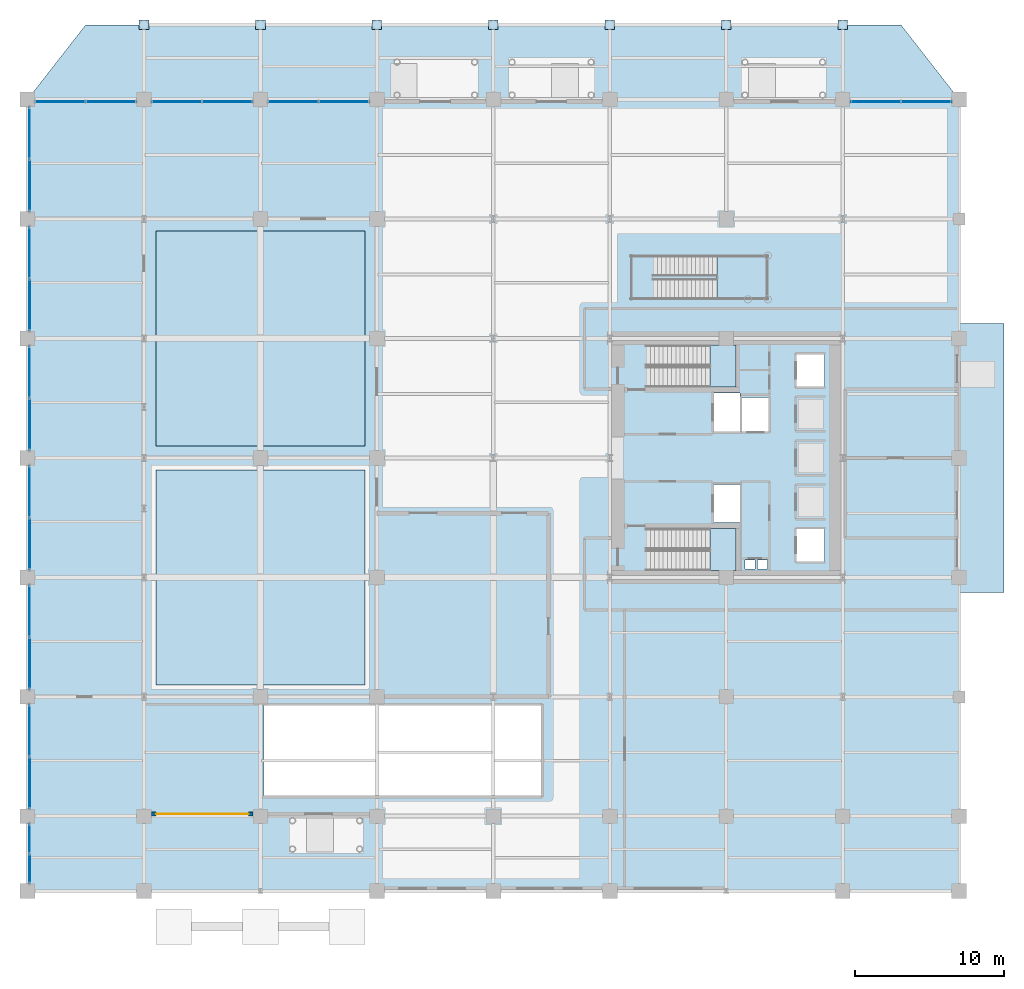
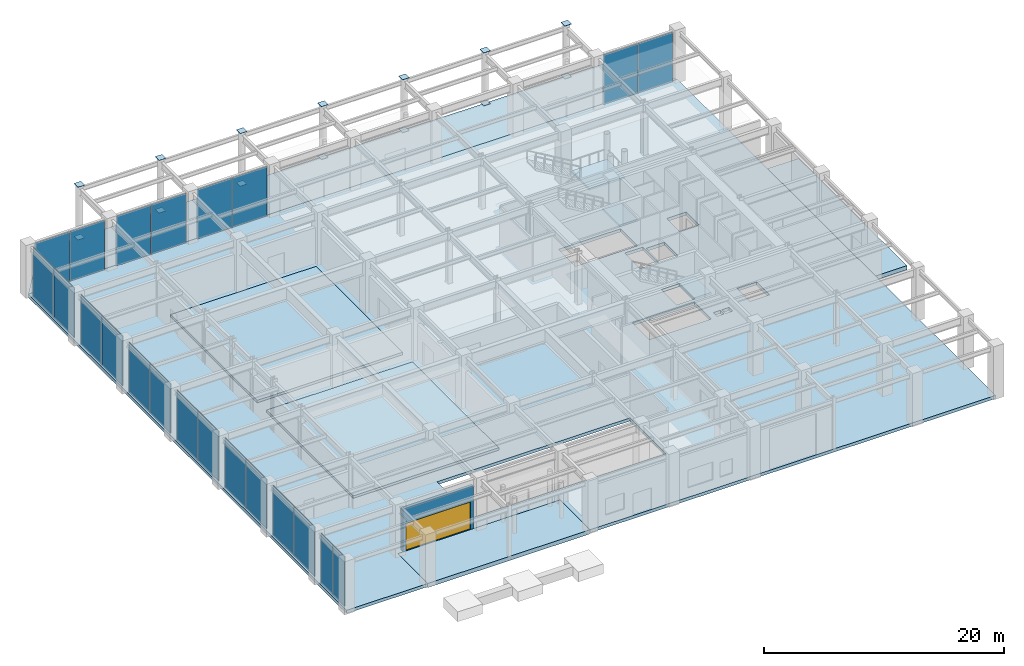
# One storey, part 18 of 27: 36 plates, 9 slabs, 1 door, 1 wall, 1 opening, 14 elements without a shape of their own.
"""IFC4 building model written with IfcOpenShell, lengths in metres."""

from ifc_helpers import new_model, si_unit, direction, frame, frame_2d, origin, origin_2d, place, context, subcontext, project, spatial, polyline, rectangle, outline, extrude, material, layer, layer_set, type_object, element, fill, aggregate, save


model = new_model("IFC4")

# Units and contexts
model_context = context("Model", 3, precision=1e-05, world=origin(), true_north=direction((0.0, 1.0)))
body_context = subcontext(model_context, "Body", "Model", "MODEL_VIEW")
ifc_project = project(units=[si_unit("LENGTHUNIT", "METRE"), si_unit("AREAUNIT", "SQUARE_METRE"), si_unit("VOLUMEUNIT", "CUBIC_METRE"), si_unit("PLANEANGLEUNIT", "RADIAN"), si_unit("MASSUNIT", "GRAM", prefix="KILO")], contexts=[model_context])

# Site, building, storey
site_placement = place(None, origin())
site = spatial("IfcSite", under=ifc_project, at=site_placement, CompositionType="ELEMENT")
building_placement = place(site_placement, origin())
building = spatial("IfcBuilding", under=site, at=building_placement, Name="Veymaron Broadcast Tower", CompositionType="ELEMENT")
storey_placement = place(building_placement, origin())
storey = spatial("IfcBuildingStorey", under=building, at=storey_placement, Name="L00", CompositionType="ELEMENT", Elevation=0.0)

# Curtain wall, plate
ifc_material_1 = material(Name="Anodised aluminium AA 6063-T6 and laminated low-E dark glass", Category="aluminium")
ifc_layer_1 = layer(ifc_material_1, 0.179931640625)
ifc_layer_set_1 = layer_set([ifc_layer_1], Name="Anodised aluminium AA 6063-T6 and laminated low-E dark glass")
curtain_wall_type = type_object("IfcCurtainWallType", Name="CW-SYS-01", PredefinedType="NOTDEFINED", material=ifc_layer_set_1)
curtain_wall_1_placement = place(storey_placement, origin())
curtain_wall_1 = element("IfcCurtainWall", 1, at=curtain_wall_1_placement, inside=storey, type_object=curtain_wall_type, Name="L00 dark-glass curtain wall CW-L00-01", PredefinedType="NOTDEFINED")
ifc_material_2 = material(Name="Triple-laminated solar-control dark glass IGU 36 mm", Category="glass")
ifc_layer_2 = layer(ifc_material_2, 0.035888671875)
ifc_layer_set_2 = layer_set([ifc_layer_2], Name="Triple-laminated solar-control dark glass IGU 36 mm")
plate_type_1 = type_object("IfcPlateType", Name="CW-PNL-01", PredefinedType="CURTAIN_PANEL", material=ifc_layer_set_2)
plate_1_placement = place(storey_placement, frame((5.591064453125, 47.85009765625, 0.0400390625), z_axis=(0.0, 0.0, 1.0), x_axis=(1.0, 0.0, 0.0)))
plate_1 = element("IfcPlate", 2, at=plate_1_placement, type_object=plate_type_1, Name="CW-L00-01 unitised curtain panel 1", PredefinedType="CURTAIN_PANEL", context=body_context, shape_type="SweptSolid", body=[
    extrude(rectangle(XDim=3.322021484375, YDim=0.035888671875, at=origin_2d()), origin(), (0.0, 0.0, 1.0), 5.0400390625),
])

curtain_wall_2_placement = place(storey_placement, origin())
curtain_wall_2 = element("IfcCurtainWall", 3, at=curtain_wall_2_placement, inside=storey, type_object=curtain_wall_type, Name="L00 dark-glass curtain wall CW-L00-02", PredefinedType="NOTDEFINED")
plate_2_placement = place(storey_placement, frame((13.39111328125, 47.85009765625, 0.0400390625), z_axis=(0.0, 0.0, 1.0), x_axis=(1.0, 0.0, 0.0)))
plate_2 = element("IfcPlate", 4, at=plate_2_placement, type_object=plate_type_1, Name="CW-L00-02 unitised curtain panel 1", PredefinedType="CURTAIN_PANEL", context=body_context, shape_type="SweptSolid", body=[
    extrude(rectangle(XDim=3.322021484375, YDim=0.035888671875, at=origin_2d()), origin(), (0.0, 0.0, 1.0), 5.0400390625),
])

curtain_wall_3_placement = place(storey_placement, origin())
curtain_wall_3 = element("IfcCurtainWall", 5, at=curtain_wall_3_placement, inside=storey, type_object=curtain_wall_type, Name="L00 dark-glass curtain wall CW-L00-03", PredefinedType="NOTDEFINED")
plate_3_placement = place(storey_placement, frame((21.19091796875, 47.85009765625, 0.0400390625), z_axis=(0.0, 0.0, 1.0), x_axis=(1.0, 0.0, 0.0)))
plate_3 = element("IfcPlate", 6, at=plate_3_placement, type_object=plate_type_1, Name="CW-L00-03 unitised curtain panel 1", PredefinedType="CURTAIN_PANEL", context=body_context, shape_type="SweptSolid", body=[
    extrude(rectangle(XDim=3.322021484375, YDim=0.035888671875, at=origin_2d()), origin(), (0.0, 0.0, 1.0), 5.0400390625),
])

curtain_wall_4_placement = place(storey_placement, origin())
curtain_wall_4 = element("IfcCurtainWall", 7, at=curtain_wall_4_placement, inside=storey, type_object=curtain_wall_type, Name="L00 dark-glass curtain wall CW-L00-04", PredefinedType="NOTDEFINED")
plate_4_placement = place(storey_placement, frame((0.14990234375, -1.509033203125, 0.0400390625), z_axis=(0.0, 0.0, 1.0), x_axis=(0.0, 1.0, 0.0)))
plate_4 = element("IfcPlate", 8, at=plate_4_placement, type_object=plate_type_1, Name="CW-L00-04 unitised curtain panel 1", PredefinedType="CURTAIN_PANEL", context=body_context, shape_type="SweptSolid", body=[
    extrude(rectangle(XDim=1.922119140625, YDim=0.035888671875, at=origin_2d()), origin(), (0.0, 0.0, 1.0), 5.0400390625),
])

curtain_wall_5_placement = place(storey_placement, origin())
curtain_wall_5 = element("IfcCurtainWall", 9, at=curtain_wall_5_placement, inside=storey, type_object=curtain_wall_type, Name="L00 dark-glass curtain wall CW-L00-05", PredefinedType="NOTDEFINED")
plate_5_placement = place(storey_placement, frame((0.14990234375, 5.740966796875, 0.0400390625), z_axis=(0.0, 0.0, 1.0), x_axis=(0.0, 1.0, 0.0)))
plate_5 = element("IfcPlate", 10, at=plate_5_placement, type_object=plate_type_1, Name="CW-L00-05 unitised curtain panel 1", PredefinedType="CURTAIN_PANEL", context=body_context, shape_type="SweptSolid", body=[
    extrude(rectangle(XDim=3.422119140625, YDim=0.035888671875, at=origin_2d()), origin(), (0.0, 0.0, 1.0), 5.0400390625),
])

curtain_wall_6_placement = place(storey_placement, origin())
curtain_wall_6 = element("IfcCurtainWall", 11, at=curtain_wall_6_placement, inside=storey, type_object=curtain_wall_type, Name="L00 dark-glass curtain wall CW-L00-06", PredefinedType="NOTDEFINED")
plate_6_placement = place(storey_placement, frame((0.14990234375, 13.740966796875, 0.0400390625), z_axis=(0.0, 0.0, 1.0), x_axis=(0.0, 1.0, 0.0)))
plate_6 = element("IfcPlate", 12, at=plate_6_placement, type_object=plate_type_1, Name="CW-L00-06 unitised curtain panel 1", PredefinedType="CURTAIN_PANEL", context=body_context, shape_type="SweptSolid", body=[
    extrude(rectangle(XDim=3.422119140625, YDim=0.035888671875, at=origin_2d()), origin(), (0.0, 0.0, 1.0), 5.0400390625),
])

curtain_wall_7_placement = place(storey_placement, origin())
curtain_wall_7 = element("IfcCurtainWall", 13, at=curtain_wall_7_placement, inside=storey, type_object=curtain_wall_type, Name="L00 dark-glass curtain wall CW-L00-07", PredefinedType="NOTDEFINED")
plate_7_placement = place(storey_placement, frame((0.14990234375, 21.740966796875, 0.0400390625), z_axis=(0.0, 0.0, 1.0), x_axis=(0.0, 1.0, 0.0)))
plate_7 = element("IfcPlate", 14, at=plate_7_placement, type_object=plate_type_1, Name="CW-L00-07 unitised curtain panel 1", PredefinedType="CURTAIN_PANEL", context=body_context, shape_type="SweptSolid", body=[
    extrude(rectangle(XDim=3.422119140625, YDim=0.035888671875, at=origin_2d()), origin(), (0.0, 0.0, 1.0), 5.0400390625),
])

curtain_wall_8_placement = place(storey_placement, origin())
curtain_wall_8 = element("IfcCurtainWall", 15, at=curtain_wall_8_placement, inside=storey, type_object=curtain_wall_type, Name="L00 dark-glass curtain wall CW-L00-08", PredefinedType="NOTDEFINED")
plate_8_placement = place(storey_placement, frame((0.14990234375, 29.740966796875, 0.0400390625), z_axis=(0.0, 0.0, 1.0), x_axis=(0.0, 1.0, 0.0)))
plate_8 = element("IfcPlate", 16, at=plate_8_placement, type_object=plate_type_1, Name="CW-L00-08 unitised curtain panel 1", PredefinedType="CURTAIN_PANEL", context=body_context, shape_type="SweptSolid", body=[
    extrude(rectangle(XDim=3.422119140625, YDim=0.035888671875, at=origin_2d()), origin(), (0.0, 0.0, 1.0), 5.0400390625),
])

curtain_wall_9_placement = place(storey_placement, origin())
curtain_wall_9 = element("IfcCurtainWall", 17, at=curtain_wall_9_placement, inside=storey, type_object=curtain_wall_type, Name="L00 dark-glass curtain wall CW-L00-09", PredefinedType="NOTDEFINED")
plate_9_placement = place(storey_placement, frame((0.14990234375, 37.740966796875, 0.0400390625), z_axis=(0.0, 0.0, 1.0), x_axis=(0.0, 1.0, 0.0)))
plate_9 = element("IfcPlate", 18, at=plate_9_placement, type_object=plate_type_1, Name="CW-L00-09 unitised curtain panel 1", PredefinedType="CURTAIN_PANEL", context=body_context, shape_type="SweptSolid", body=[
    extrude(rectangle(XDim=3.422119140625, YDim=0.035888671875, at=origin_2d()), origin(), (0.0, 0.0, 1.0), 5.0400390625),
])

curtain_wall_10_placement = place(storey_placement, origin())
curtain_wall_10 = element("IfcCurtainWall", 19, at=curtain_wall_10_placement, inside=storey, type_object=curtain_wall_type, Name="L00 dark-glass curtain wall CW-L00-10", PredefinedType="NOTDEFINED")
plate_10_placement = place(storey_placement, frame((0.14990234375, 45.740966796875, 0.0400390625), z_axis=(0.0, 0.0, 1.0), x_axis=(0.0, 1.0, 0.0)))
plate_10 = element("IfcPlate", 20, at=plate_10_placement, type_object=plate_type_1, Name="CW-L00-10 unitised curtain panel 1", PredefinedType="CURTAIN_PANEL", context=body_context, shape_type="SweptSolid", body=[
    extrude(rectangle(XDim=3.422119140625, YDim=0.035888671875, at=origin_2d()), origin(), (0.0, 0.0, 1.0), 5.0400390625),
])

curtain_wall_11_placement = place(storey_placement, origin())
curtain_wall_11 = element("IfcCurtainWall", 21, at=curtain_wall_11_placement, inside=storey, type_object=curtain_wall_type, Name="L00 dark-glass curtain wall CW-L00-11", PredefinedType="NOTDEFINED")
plate_11_placement = place(storey_placement, frame((60.19091796875, 47.85009765625, 0.0400390625), z_axis=(0.0, 0.0, 1.0), x_axis=(1.0, 0.0, 0.0)))
plate_11 = element("IfcPlate", 22, at=plate_11_placement, type_object=plate_type_1, Name="CW-L00-11 unitised curtain panel 1", PredefinedType="CURTAIN_PANEL", context=body_context, shape_type="SweptSolid", body=[
    extrude(rectangle(XDim=3.322021484375, YDim=0.035888671875, at=origin_2d()), origin(), (0.0, 0.0, 1.0), 5.0400390625),
])

# Plate
ifc_material_3 = material(Name="Insulated dark-anodised aluminium spandrel panel 40 mm", Category="aluminium")
ifc_layer_3 = layer(ifc_material_3, 0.0400390625)
ifc_layer_set_3 = layer_set([ifc_layer_3], Name="Insulated dark-anodised aluminium spandrel panel 40 mm")
plate_type_2 = type_object("IfcPlateType", Name="CW-PNL-03", PredefinedType="CURTAIN_PANEL", material=ifc_layer_set_3)
plate_12_placement = place(storey_placement, frame((2.208984375, 47.85009765625, 0.0400390625), z_axis=(0.0, 0.0, 1.0), x_axis=(1.0, 0.0, 0.0)))
plate_12 = element("IfcPlate", 23, at=plate_12_placement, type_object=plate_type_2, Name="CW-L00-01 unitised curtain panel 0", PredefinedType="CURTAIN_PANEL", context=body_context, shape_type="SweptSolid", body=[
    extrude(rectangle(XDim=3.322021484375, YDim=0.0400390625, at=origin_2d()), origin(), (0.0, 0.0, 1.0), 5.0400390625),
])

aggregate(curtain_wall_1, [plate_12, plate_1])

plate_13_placement = place(storey_placement, frame((10.009033203125, 47.85009765625, 0.0400390625), z_axis=(0.0, 0.0, 1.0), x_axis=(1.0, 0.0, 0.0)))
plate_13 = element("IfcPlate", 24, at=plate_13_placement, type_object=plate_type_2, Name="CW-L00-02 unitised curtain panel 0", PredefinedType="CURTAIN_PANEL", context=body_context, shape_type="SweptSolid", body=[
    extrude(rectangle(XDim=3.322021484375, YDim=0.0400390625, at=origin_2d()), origin(), (0.0, 0.0, 1.0), 5.0400390625),
])

aggregate(curtain_wall_2, [plate_13, plate_2])

plate_14_placement = place(storey_placement, frame((17.80908203125, 47.85009765625, 0.0400390625), z_axis=(0.0, 0.0, 1.0), x_axis=(1.0, 0.0, 0.0)))
plate_14 = element("IfcPlate", 25, at=plate_14_placement, type_object=plate_type_2, Name="CW-L00-03 unitised curtain panel 0", PredefinedType="CURTAIN_PANEL", context=body_context, shape_type="SweptSolid", body=[
    extrude(rectangle(XDim=3.322021484375, YDim=0.0400390625, at=origin_2d()), origin(), (0.0, 0.0, 1.0), 5.0400390625),
])

aggregate(curtain_wall_3, [plate_14, plate_3])

plate_15_placement = place(storey_placement, frame((0.14990234375, -3.490966796875, 0.0400390625), z_axis=(0.0, 0.0, 1.0), x_axis=(0.0, 1.0, 0.0)))
plate_15 = element("IfcPlate", 26, at=plate_15_placement, type_object=plate_type_2, Name="CW-L00-04 unitised curtain panel 0", PredefinedType="CURTAIN_PANEL", context=body_context, shape_type="SweptSolid", body=[
    extrude(rectangle(XDim=1.922119140625, YDim=0.0400390625, at=origin_2d()), origin(), (0.0, 0.0, 1.0), 5.0400390625),
])

aggregate(curtain_wall_4, [plate_15, plate_4])

plate_16_placement = place(storey_placement, frame((0.14990234375, 2.259033203125, 0.0400390625), z_axis=(0.0, 0.0, 1.0), x_axis=(0.0, 1.0, 0.0)))
plate_16 = element("IfcPlate", 27, at=plate_16_placement, type_object=plate_type_2, Name="CW-L00-05 unitised curtain panel 0", PredefinedType="CURTAIN_PANEL", context=body_context, shape_type="SweptSolid", body=[
    extrude(rectangle(XDim=3.422119140625, YDim=0.0400390625, at=origin_2d()), origin(), (0.0, 0.0, 1.0), 5.0400390625),
])

aggregate(curtain_wall_5, [plate_16, plate_5])

plate_17_placement = place(storey_placement, frame((0.14990234375, 10.259033203125, 0.0400390625), z_axis=(0.0, 0.0, 1.0), x_axis=(0.0, 1.0, 0.0)))
plate_17 = element("IfcPlate", 28, at=plate_17_placement, type_object=plate_type_2, Name="CW-L00-06 unitised curtain panel 0", PredefinedType="CURTAIN_PANEL", context=body_context, shape_type="SweptSolid", body=[
    extrude(rectangle(XDim=3.422119140625, YDim=0.0400390625, at=origin_2d()), origin(), (0.0, 0.0, 1.0), 5.0400390625),
])

aggregate(curtain_wall_6, [plate_17, plate_6])

plate_18_placement = place(storey_placement, frame((0.14990234375, 18.259033203125, 0.0400390625), z_axis=(0.0, 0.0, 1.0), x_axis=(0.0, 1.0, 0.0)))
plate_18 = element("IfcPlate", 29, at=plate_18_placement, type_object=plate_type_2, Name="CW-L00-07 unitised curtain panel 0", PredefinedType="CURTAIN_PANEL", context=body_context, shape_type="SweptSolid", body=[
    extrude(rectangle(XDim=3.422119140625, YDim=0.0400390625, at=origin_2d()), origin(), (0.0, 0.0, 1.0), 5.0400390625),
])

aggregate(curtain_wall_7, [plate_18, plate_7])

plate_19_placement = place(storey_placement, frame((0.14990234375, 26.259033203125, 0.0400390625), z_axis=(0.0, 0.0, 1.0), x_axis=(0.0, 1.0, 0.0)))
plate_19 = element("IfcPlate", 30, at=plate_19_placement, type_object=plate_type_2, Name="CW-L00-08 unitised curtain panel 0", PredefinedType="CURTAIN_PANEL", context=body_context, shape_type="SweptSolid", body=[
    extrude(rectangle(XDim=3.422119140625, YDim=0.0400390625, at=origin_2d()), origin(), (0.0, 0.0, 1.0), 5.0400390625),
])

aggregate(curtain_wall_8, [plate_19, plate_8])

plate_20_placement = place(storey_placement, frame((0.14990234375, 34.259033203125, 0.0400390625), z_axis=(0.0, 0.0, 1.0), x_axis=(0.0, 1.0, 0.0)))
plate_20 = element("IfcPlate", 31, at=plate_20_placement, type_object=plate_type_2, Name="CW-L00-09 unitised curtain panel 0", PredefinedType="CURTAIN_PANEL", context=body_context, shape_type="SweptSolid", body=[
    extrude(rectangle(XDim=3.422119140625, YDim=0.0400390625, at=origin_2d()), origin(), (0.0, 0.0, 1.0), 5.0400390625),
])

aggregate(curtain_wall_9, [plate_20, plate_9])

plate_21_placement = place(storey_placement, frame((0.14990234375, 42.259033203125, 0.0400390625), z_axis=(0.0, 0.0, 1.0), x_axis=(0.0, 1.0, 0.0)))
plate_21 = element("IfcPlate", 32, at=plate_21_placement, type_object=plate_type_2, Name="CW-L00-10 unitised curtain panel 0", PredefinedType="CURTAIN_PANEL", context=body_context, shape_type="SweptSolid", body=[
    extrude(rectangle(XDim=3.422119140625, YDim=0.0400390625, at=origin_2d()), origin(), (0.0, 0.0, 1.0), 5.0400390625),
])

aggregate(curtain_wall_10, [plate_21, plate_10])

plate_22_placement = place(storey_placement, frame((56.80908203125, 47.85009765625, 0.0400390625), z_axis=(0.0, 0.0, 1.0), x_axis=(1.0, 0.0, 0.0)))
plate_22 = element("IfcPlate", 33, at=plate_22_placement, type_object=plate_type_2, Name="CW-L00-11 unitised curtain panel 0", PredefinedType="CURTAIN_PANEL", context=body_context, shape_type="SweptSolid", body=[
    extrude(rectangle(XDim=3.322021484375, YDim=0.0400390625, at=origin_2d()), origin(), (0.0, 0.0, 1.0), 5.0400390625),
])

aggregate(curtain_wall_11, [plate_22, plate_11])

# Plates
ifc_material_4 = material(Name="Structural steel ASTM A992 Gr 50", Category="steel")
ifc_layer_4 = layer(ifc_material_4, 0.030029296875)
ifc_layer_set_4 = layer_set([ifc_layer_4], Name="Structural steel ASTM A992 Gr 50")
plate_type_3 = type_object("IfcPlateType", Name="PLT-CAP-CHS1", PredefinedType="SHEET", material=ifc_layer_set_4)
for number, where, z_axis, x_axis, name in (
    (34, (7.800048828125, 53.0, 0.0), (0.0, 0.0, 1.0), (1.0, 0.0, 0.0), "L00 pilotis base cap plate"),
    (35, (7.800048828125, 53.0, 5.36474609375), (0.0, 0.0, 1.0), (1.0, 0.0, 0.0), "L00 pilotis head cap plate"),
    (36, (15.60009765625, 53.0, 0.0), (0.0, 0.0, 1.0), (1.0, 0.0, 0.0), "L00 pilotis base cap plate"),
    (37, (15.60009765625, 53.0, 5.36474609375), (0.0, 0.0, 1.0), (1.0, 0.0, 0.0), "L00 pilotis head cap plate"),
    (38, (23.39990234375, 53.0, 0.0), (0.0, 0.0, 1.0), (1.0, 0.0, 0.0), "L00 pilotis base cap plate"),
    (39, (23.39990234375, 53.0, 5.36474609375), (0.0, 0.0, 1.0), (1.0, 0.0, 0.0), "L00 pilotis head cap plate"),
    (40, (31.199951171875, 53.0, 0.0), (0.0, 0.0, 1.0), (1.0, 0.0, 0.0), "L00 pilotis base cap plate"),
    (41, (31.199951171875, 53.0, 5.36474609375), (0.0, 0.0, 1.0), (1.0, 0.0, 0.0), "L00 pilotis head cap plate"),
    (42, (39.0, 53.0, 0.0), (0.0, 0.0, 1.0), (1.0, 0.0, 0.0), "L00 pilotis base cap plate"),
    (43, (39.0, 53.0, 5.36474609375), (0.0, 0.0, 1.0), (1.0, 0.0, 0.0), "L00 pilotis head cap plate"),
    (44, (46.800048828125, 53.0, 0.0), (0.0, 0.0, 1.0), (1.0, 0.0, 0.0), "L00 pilotis base cap plate"),
    (45, (46.800048828125, 53.0, 5.36474609375), (0.0, 0.0, 1.0), (1.0, 0.0, 0.0), "L00 pilotis head cap plate"),
    (46, (54.60009765625, 53.0, 0.0), (0.0, 0.0, 1.0), (1.0, 0.0, 0.0), "L00 pilotis base cap plate"),
    (47, (54.60009765625, 53.0, 5.36474609375), (0.0, 0.0, 1.0), (1.0, 0.0, 0.0), "L00 pilotis head cap plate"),
):
    element("IfcPlate", number, at=place(storey_placement, frame(where, z_axis=z_axis, x_axis=x_axis)), inside=storey, type_object=plate_type_3, Name=name, PredefinedType="SHEET", context=body_context, shape_type="SweptSolid", body=[
        extrude(rectangle(XDim=0.64990234375, YDim=0.64990234375, at=origin_2d()), origin(), (0.0, 0.0, 1.0), 0.030029296875),
    ])

# Slabs
ifc_material_5 = material(Name="Concrete C40/50", Category="concrete")
ifc_layer_5 = layer(ifc_material_5, 0.320068359375)
ifc_layer_set_5 = layer_set([ifc_layer_5], Name="Concrete C40/50")
slab_type_1 = type_object("IfcSlabType", Name="SLAB-FS2", PredefinedType="FLOOR", material=ifc_layer_set_5)
slab_1_placement = place(storey_placement, frame((0.0, 0.0, -0.320068359375)))
element("IfcSlab", 48, at=slab_1_placement, inside=storey, type_object=slab_type_1, Name="L00 structural floor slab", PredefinedType="FLOOR", context=body_context, shape_type="SweptSolid", body=[
    extrude(outline(polyline([(0.0, -5.0), (7.800048828125, -5.0), (7.800048828125, 0.0), (23.39990234375, 0.0), (23.39990234375, -5.0), (62.39990234375, -5.0), (62.39990234375, 48.0), (0.0, 48.0), (0.0, -5.0)]), holes=[polyline([(45.969970703125, 28.330078125), (47.72998046875, 28.330078125), (47.72998046875, 25.77001953125), (45.969970703125, 25.77001953125), (45.969970703125, 28.330078125)]), polyline([(45.969970703125, 22.22998046875), (47.72998046875, 22.22998046875), (47.72998046875, 19.669921875), (45.969970703125, 19.669921875), (45.969970703125, 22.22998046875)]), polyline([(47.8701171875, 28.030029296875), (49.6298828125, 28.030029296875), (49.6298828125, 25.77001953125), (47.8701171875, 25.77001953125), (47.8701171875, 28.030029296875)]), polyline([(51.52001953125, 30.929931640625), (53.3798828125, 30.929931640625), (53.3798828125, 28.77001953125), (51.52001953125, 28.77001953125), (51.52001953125, 30.929931640625)]), polyline([(51.52001953125, 19.22998046875), (53.3798828125, 19.22998046875), (53.3798828125, 17.070068359375), (51.52001953125, 17.070068359375), (51.52001953125, 19.22998046875)]), polyline([(15.85009765625, 7.39990234375), (34.39990234375, 7.39990234375), (34.39990234375, 1.39990234375), (15.85009765625, 1.39990234375), (15.85009765625, 7.39990234375)]), polyline([(48.050048828125, 17.159912109375), (48.719970703125, 17.159912109375), (48.719970703125, 16.56005859375), (48.050048828125, 16.56005859375), (48.050048828125, 17.159912109375)]), polyline([(48.8798828125, 17.159912109375), (49.550048828125, 17.159912109375), (49.550048828125, 16.56005859375), (48.8798828125, 16.56005859375), (48.8798828125, 17.159912109375)]), polyline([(41.489990234375, 31.550048828125), (47.43994140625, 31.550048828125), (47.43994140625, 28.72998046875), (41.489990234375, 28.72998046875), (41.489990234375, 31.550048828125)]), polyline([(41.489990234375, 19.27001953125), (47.43994140625, 19.27001953125), (47.43994140625, 16.449951171875), (41.489990234375, 16.449951171875), (41.489990234375, 19.27001953125)])]), origin(), (0.0, 0.0, 1.0), 0.320068359375),
])
ifc_layer_6 = layer(ifc_material_5, 0.25)
ifc_layer_set_6 = layer_set([ifc_layer_6], Name="Concrete C40/50")
slab_type_2 = type_object("IfcSlabType", Name="SLAB-FS7", PredefinedType="FLOOR", material=ifc_layer_set_6)
slab_2_placement = place(storey_placement, origin())
element("IfcSlab", 49, at=slab_2_placement, inside=storey, type_object=slab_type_2, Name="L00 acoustic floating studio slab ST1", PredefinedType="FLOOR", context=body_context, shape_type="SweptSolid", body=[
    extrude(outline(polyline([(8.60009765625, 8.800048828125), (22.60009765625, 8.800048828125), (22.60009765625, 23.199951171875), (8.60009765625, 23.199951171875), (8.60009765625, 8.800048828125)])), origin(), (0.0, 0.0, 1.0), 0.25),
])
slab_3_placement = place(storey_placement, origin())
element("IfcSlab", 50, at=slab_3_placement, inside=storey, type_object=slab_type_2, Name="L00 acoustic floating studio slab ST2", PredefinedType="FLOOR", context=body_context, shape_type="SweptSolid", body=[
    extrude(outline(polyline([(8.60009765625, 24.800048828125), (22.60009765625, 24.800048828125), (22.60009765625, 39.199951171875), (8.60009765625, 39.199951171875), (8.60009765625, 24.800048828125)])), origin(), (0.0, 0.0, 1.0), 0.25),
])
ifc_layer_7 = layer(ifc_material_5, 0.419921875)
ifc_layer_set_7 = layer_set([ifc_layer_7], Name="Concrete C40/50")
slab_type_3 = type_object("IfcSlabType", Name="SLAB-PAVING-250", PredefinedType="USERDEFINED", material=ifc_layer_set_7)
slab_4_placement = place(storey_placement, frame((0.0, 0.0, -0.419921875)))
element("IfcSlab", 51, at=slab_4_placement, inside=storey, type_object=slab_type_3, Name="L00 south vehicle ramp and OB-van driveway apron", ObjectType="PAVING", PredefinedType="USERDEFINED", context=body_context, shape_type="SweptSolid", body=[
    extrude(outline(polyline([(7.800048828125, -5.0), (23.39990234375, -5.0), (23.39990234375, 0.0), (7.800048828125, 0.0), (7.800048828125, -5.0)])), origin(), (0.0, 0.0, 1.0), 0.419921875),
])
slab_5_placement = place(storey_placement, frame((0.0, 0.0, -0.419921875)))
element("IfcSlab", 52, at=slab_5_placement, inside=storey, type_object=slab_type_3, Name="L00 Red Sea waterfront colonnade promenade paving", ObjectType="PAVING", PredefinedType="USERDEFINED", context=body_context, shape_type="SweptSolid", body=[
    extrude(outline(polyline([(0.0, 48.0), (62.39990234375, 48.0), (58.5, 53.0), (3.89990234375, 53.0), (0.0, 48.0)])), origin(), (0.0, 0.0, 1.0), 0.419921875),
])
slab_6_placement = place(storey_placement, frame((0.0, 0.0, -0.419921875)))
element("IfcSlab", 53, at=slab_6_placement, inside=storey, type_object=slab_type_3, Name="L00 East exit discharge street-grade paving", ObjectType="PAVING", PredefinedType="USERDEFINED", context=body_context, shape_type="SweptSolid", body=[
    extrude(outline(polyline([(62.39990234375, 15.0), (65.39990234375, 15.0), (65.39990234375, 33.0), (62.39990234375, 33.0), (62.39990234375, 15.0)])), origin(), (0.0, 0.0, 1.0), 0.419921875),
])

# Stair, slab
ifc_material_6 = material(Name="Concrete C50/60", Category="concrete")
stair_type_1 = type_object("IfcStairType", Name="STAIR-CORE-1", PredefinedType="HALF_TURN_STAIR", material=ifc_material_6)
stair_1_placement = place(storey_placement, origin())
stair_1 = element("IfcStair", 54, at=stair_1_placement, inside=storey, type_object=stair_type_1, Name="L00 North protected dog-leg exit stair ST1", PredefinedType="HALF_TURN_STAIR")
ifc_layer_8 = layer(ifc_material_6, 0.199951171875)
ifc_layer_set_8 = layer_set([ifc_layer_8], Name="Concrete C50/60")
slab_type_4 = type_object("IfcSlabType", Name="SLAB-STAIR-LDG", PredefinedType="LANDING", material=ifc_layer_set_8)
slab_7_placement = place(storey_placement, frame((0.0, 0.0, 2.5)))
slab_7 = element("IfcSlab", 55, at=slab_7_placement, type_object=slab_type_4, Name="ST1 landing 1", PredefinedType="LANDING", context=body_context, shape_type="SweptSolid", body=[
    extrude(outline(polyline([(45.705078125, 28.72998046875), (47.43994140625, 28.72998046875), (47.43994140625, 31.550048828125), (45.705078125, 31.550048828125), (45.705078125, 28.72998046875)])), origin(), (0.0, 0.0, 1.0), 0.199951171875),
])
aggregate(stair_1, [slab_7])

stair_type_2 = type_object("IfcStairType", Name="STAIR-CORE-2", PredefinedType="HALF_TURN_STAIR", material=ifc_material_6)
stair_2_placement = place(storey_placement, origin())
stair_2 = element("IfcStair", 56, at=stair_2_placement, inside=storey, type_object=stair_type_2, Name="L00 South protected dog-leg exit stair ST2", PredefinedType="HALF_TURN_STAIR")
slab_8_placement = place(storey_placement, frame((0.0, 0.0, 2.5)))
slab_8 = element("IfcSlab", 57, at=slab_8_placement, type_object=slab_type_4, Name="ST2 landing 1", PredefinedType="LANDING", context=body_context, shape_type="SweptSolid", body=[
    extrude(outline(polyline([(45.705078125, 16.449951171875), (47.43994140625, 16.449951171875), (47.43994140625, 19.27001953125), (45.705078125, 19.27001953125), (45.705078125, 16.449951171875)])), origin(), (0.0, 0.0, 1.0), 0.199951171875),
])
aggregate(stair_2, [slab_8])

stair_type_3 = type_object("IfcStairType", Name="STAIR-FEAT-01", PredefinedType="HALF_TURN_STAIR", material=ifc_material_4)
stair_3_placement = place(storey_placement, origin())
stair_3 = element("IfcStair", 58, at=stair_3_placement, inside=storey, type_object=stair_type_3, Name="L00 Waterfront concourse monumental feature stair STF1", PredefinedType="HALF_TURN_STAIR")
slab_9_placement = place(storey_placement, frame((0.0, 0.0, 2.5)))
slab_9 = element("IfcSlab", 59, at=slab_9_placement, type_object=slab_type_4, Name="STF1 landing 1", PredefinedType="LANDING", context=body_context, shape_type="SweptSolid", body=[
    extrude(outline(polyline([(46.175048828125, 34.60009765625), (49.60009765625, 34.60009765625), (49.60009765625, 37.56005859375), (46.175048828125, 37.56005859375), (46.175048828125, 34.60009765625)])), origin(), (0.0, 0.0, 1.0), 0.199951171875),
])
aggregate(stair_3, [slab_9])

# Wall, opening, door
ifc_material_7 = material(Name="Precast concrete C40/50 with mineral-wool insulation", Category="concrete")
ifc_layer_9 = layer(ifc_material_7, 0.300048828125)
ifc_layer_set_9 = layer_set([ifc_layer_9], Name="Precast concrete C40/50 with mineral-wool insulation")
wall_type = type_object("IfcWallType", Name="WALL-EXT-300", PredefinedType="STANDARD", material=ifc_layer_set_9)
wall_placement = place(storey_placement, frame((8.31005859375, 0.14990234375, 0.0), z_axis=(0.0, 0.0, 1.0), x_axis=(1.0, 0.0, 0.0)))
wall = element("IfcWall", 60, at=wall_placement, inside=storey, type_object=wall_type, Name="L00 south vehicle ramp west portal wall", PredefinedType="STANDARD", context=body_context, shape_type="SweptSolid", body=[
    extrude(rectangle(XDim=6.780029296875, YDim=0.300048828125, at=frame_2d((3.39013671875, 0.0))), origin(), (0.0, 0.0, 1.0), 4.337890625),
])
opening_placement = place(wall_placement, frame((0.300048828125, 0.0, 0.0)))
opening = element("IfcOpeningElement", 61, at=opening_placement, cuts=wall, Name="Opening ED-SH1", PredefinedType="OPENING", context=body_context, shape_type="SweptSolid", body=[
    extrude(rectangle(XDim=6.199951171875, YDim=2.800048828125, at=frame_2d((3.10009765625, 1.39990234375))), frame((0.0, 0.16015625, 0.0), z_axis=(0.0, -1.0, 0.0), x_axis=(1.0, 0.0, 0.0)), (0.0, 0.0, 1.0), 0.320068359375),
])
ifc_material_8 = material(Name="Motorised insulated galvanized steel lath", Category="steel")
door_type = type_object("IfcDoorType", Name="DOOR-SHUT-6200", OperationType="ROLLINGUP", PredefinedType="GATE", material=ifc_material_8)
door_placement = place(opening_placement, origin())
door = element("IfcDoor", 62, at=door_placement, inside=storey, type_object=door_type, Name="L00 car-park vehicle ramp shutter", OperationType="ROLLINGUP", OverallHeight=2.800048828125, OverallWidth=6.199951171875, PredefinedType="GATE", context=body_context, shape_type="SweptSolid", body=[
    extrude(rectangle(XDim=6.199951171875, YDim=2.800048828125, at=frame_2d((3.10009765625, 1.39990234375))), frame((0.0, 0.02490234375, 0.0), z_axis=(0.0, -1.0, 0.0), x_axis=(1.0, 0.0, 0.0)), (0.0, 0.0, 1.0), 0.050048828125),
])
fill(opening, door)

save(model, "model.ifc")
